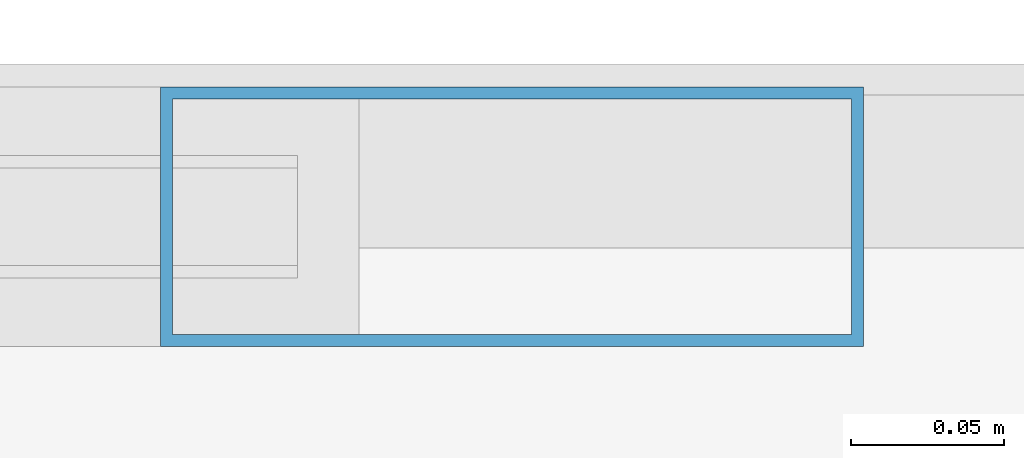
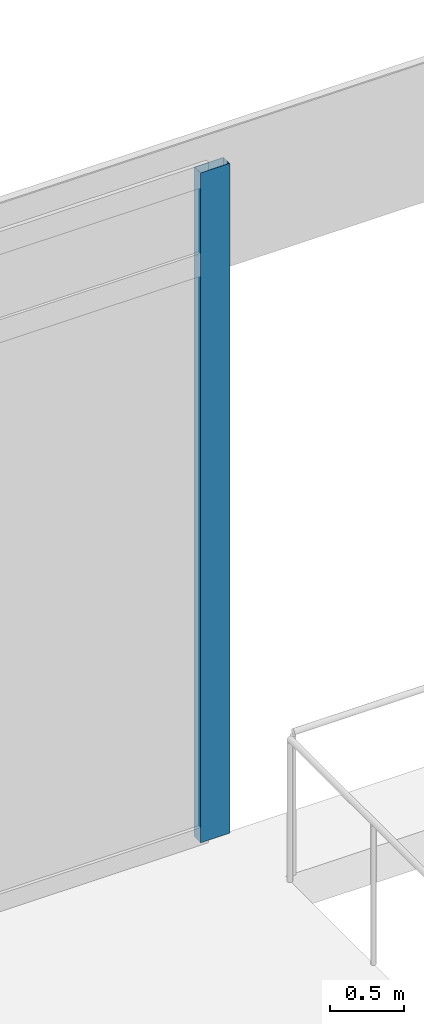
# One storey, part 15 of 26: 1 member, 1 element without a shape of its own.
"""IFC4 building model written with IfcOpenShell, lengths in metres."""

import ifcopenshell
import ifcopenshell.guid

model = None  # the IFC model being written
_history = None  # IfcOwnerHistory: only IFC2X3 demands one
_inside = {}  # id of a spatial element -> (the spatial element, [elements in it])
_under = {}  # id of a project, library or spatial element -> (it, [spatial elements below it])
_declared = {}  # id of a project -> (the project, [libraries it declares])
_typed = {}  # id of a type object -> (the type object, [elements of that type])
_made_of = {}  # id of a material, layer set ... -> (it, [elements and type objects made of it])


def new_model(schema):
    """Start an empty IFC model of exactly this schema.

    Asked for "IFC4X3", IfcOpenShell would pick the latest addendum, in which some entities
    have other attributes; the version numbers below select the first issue.
    IFC2X3 requires an IfcOwnerHistory on every rooted entity: one is made here for all.
    """
    global model, _history
    if schema == "IFC4X3":
        model = ifcopenshell.file(schema_version=(4, 3, 0, 0))
    else:
        model = ifcopenshell.file(schema=schema)
    _inside.clear()
    _under.clear()
    _declared.clear()
    _typed.clear()
    _made_of.clear()
    _history = None
    if model.schema == "IFC2X3":
        org = make("IfcOrganization", Name="unknown")
        user = make(
            "IfcPersonAndOrganization",
            ThePerson=make("IfcPerson", FamilyName="unknown"),
            TheOrganization=org,
        )
        app = make(
            "IfcApplication",
            ApplicationDeveloper=org,
            Version="unknown",
            ApplicationFullName="unknown",
            ApplicationIdentifier="unknown",
        )
        _history = make(
            "IfcOwnerHistory",
            OwningUser=user,
            OwningApplication=app,
            ChangeAction="ADDED",
            CreationDate=0,
        )
    return model


def make(cls, **values):
    """One entity of the class cls with the attributes given. An attribute that is None is left unset."""
    return model.create_entity(
        cls, **{name: value for name, value in values.items() if value is not None}
    )


def rooted(cls, **values):
    """An entity with a GlobalId (a new one), such as an element, a storey or a relation."""
    return make(cls, GlobalId=ifcopenshell.guid.new(), OwnerHistory=_history, **values)


def si_unit(unit_type, name, prefix=None):
    """IfcSIUnit, for example si_unit("LENGTHUNIT", "METRE", prefix="MILLI")."""
    return make("IfcSIUnit", UnitType=unit_type, Prefix=prefix, Name=name)


def assignment(units):
    """IfcUnitAssignment: the units of a project."""
    return None if units is None else make("IfcUnitAssignment", Units=units)


def point(xyz):
    """IfcCartesianPoint."""
    return None if xyz is None else make("IfcCartesianPoint", Coordinates=xyz)


def direction(xyz):
    """IfcDirection."""
    return None if xyz is None else make("IfcDirection", DirectionRatios=xyz)


def frame(location, z_axis=None, x_axis=None):
    """IfcAxis2Placement3D, a coordinate frame: its origin and axes. An axis left out is left unset."""
    return make(
        "IfcAxis2Placement3D",
        Location=point(location),
        Axis=direction(z_axis),
        RefDirection=direction(x_axis),
    )


def frame_2d(location, x_axis=None):
    """IfcAxis2Placement2D, a coordinate frame in the plane: its origin and x axis."""
    return make(
        "IfcAxis2Placement2D", Location=point(location), RefDirection=direction(x_axis)
    )


def origin():
    """The frame at (0, 0, 0) with its axes left unset."""
    return frame((0.0, 0.0, 0.0))


def origin_2d():
    """The frame at (0, 0) in the plane with its x axis left unset."""
    return frame_2d((0.0, 0.0))


def place(relative_to, where):
    """IfcLocalPlacement: puts the frame where relative to a parent placement (None: the world)."""
    return make(
        "IfcLocalPlacement", PlacementRelTo=relative_to, RelativePlacement=where
    )


def context(
    kind, dimensions, precision=None, world=None, true_north=None, identifier=None
):
    """IfcGeometricRepresentationContext, for example the 3D "Model" context."""
    return make(
        "IfcGeometricRepresentationContext",
        ContextIdentifier=identifier,
        ContextType=kind,
        CoordinateSpaceDimension=dimensions,
        Precision=precision,
        WorldCoordinateSystem=world,
        TrueNorth=true_north,
    )


def subcontext(parent, identifier, kind, view, scale=None):
    """IfcGeometricRepresentationSubContext, for example "Body" below "Model"."""
    return make(
        "IfcGeometricRepresentationSubContext",
        ContextIdentifier=identifier,
        ContextType=kind,
        ParentContext=parent,
        TargetScale=scale,
        TargetView=view,
    )


def project(units=None, contexts=None):
    """IfcProject with its units and contexts."""
    return rooted(
        "IfcProject",
        Name="project",
        RepresentationContexts=contexts,
        UnitsInContext=assignment(units),
    )


def spatial(cls, under=None, at=None, **own):
    """A site, building, storey or space (cls), placed at a placement, below another one or the project."""
    s = rooted(cls, ObjectPlacement=at, **own)
    if under is not None:
        _under.setdefault(under.id(), (under, []))[1].append(s)
    return s


def profile(cls, at=None, kind="AREA", **sizes):
    """A parametric profile (cls). Its sizes go by their IFC names, for example OverallWidth=200.0."""
    return make(cls, ProfileType=kind, Position=at, **sizes)


def hollow_rectangle(**sizes):
    """IfcRectangleHollowProfileDef."""
    return profile("IfcRectangleHollowProfileDef", **sizes)


def extrude(swept, where, along, depth):
    """IfcExtrudedAreaSolid: the profile swept, set in the frame where, extruded along a direction by depth."""
    return make(
        "IfcExtrudedAreaSolid",
        SweptArea=swept,
        Position=where,
        ExtrudedDirection=direction(along),
        Depth=depth,
    )


def shape(context_of_items, identifier, shape_type, items):
    """IfcShapeRepresentation: the items that make up one representation, for example the "Body"."""
    return make(
        "IfcShapeRepresentation",
        ContextOfItems=context_of_items,
        RepresentationIdentifier=identifier,
        RepresentationType=shape_type,
        Items=items,
    )


def material(Name=None, Category=None):
    """IfcMaterial."""
    return make("IfcMaterial", Name=Name, Category=Category)


def material_profile(
    of_material, cross_section, Name=None, Category=None, Priority=None
):
    """IfcMaterialProfile: a cross section and its material."""
    return make(
        "IfcMaterialProfile",
        Name=Name,
        Material=of_material,
        Profile=cross_section,
        Priority=Priority,
        Category=Category,
    )


def profile_set(profiles, Name=None, composite=None):
    """IfcMaterialProfileSet."""
    return make(
        "IfcMaterialProfileSet",
        Name=Name,
        MaterialProfiles=profiles,
        CompositeProfile=composite,
    )


def made_of(thing, what):
    """Note that an element or type object is made of a material, layer set ...; save() writes the relation."""
    if what is not None:
        _made_of.setdefault(what.id(), (what, []))[1].append(thing)
    return thing


def type_object(cls, material=None, **own):
    """A type object (cls), such as IfcWallType, which elements share."""
    return made_of(rooted(cls, **own), material)


def element(
    cls,
    number,
    at=None,
    inside=None,
    cuts=None,
    type_object=None,
    material=None,
    context=None,
    identifier="Body",
    shape_type=None,
    held_by="IfcProductDefinitionShape",
    body=None,
    shapes=None,
    **own,
):
    """One element of the class cls, such as IfcWall. Its Tag is "e" and its number.

    at: its placement. inside: the storey or other place that contains it. cuts: it is an
    opening in that element (IfcRelVoidsElement). A single representation is given by context,
    identifier, shape_type and body (its items); several are given by shapes. held_by: the class
    of the entity that holds the representations. save() writes the other relations.
    """
    e = rooted(cls, Tag="e%d" % number, ObjectPlacement=at, **own)
    if body is not None:
        shapes = [shape(context, identifier, shape_type, body)]
    if shapes is not None:
        e.Representation = make(held_by, Representations=shapes)
    if inside is not None:
        _inside.setdefault(inside.id(), (inside, []))[1].append(e)
    if cuts is not None:
        rooted(
            "IfcRelVoidsElement", RelatingBuildingElement=cuts, RelatedOpeningElement=e
        )
    if type_object is not None:
        _typed.setdefault(type_object.id(), (type_object, []))[1].append(e)
    return made_of(e, material)


def aggregate(whole, parts):
    """IfcRelAggregates: a whole, such as a stair, and the parts it consists of."""
    return rooted("IfcRelAggregates", RelatingObject=whole, RelatedObjects=parts)


def save(model, path):
    """Write the relations noted so far, then the file.

    IfcRelAggregates (storeys below a building ...), IfcRelContainedInSpatialStructure (elements
    in a storey), IfcRelDefinesByType, IfcRelAssociatesMaterial and IfcRelDeclares: one each for
    every whole, place, type object, material and project.
    """
    for whole, parts in _under.values():
        aggregate(whole, parts)
    for where, things in _inside.values():
        rooted(
            "IfcRelContainedInSpatialStructure",
            RelatedElements=things,
            RelatingStructure=where,
        )
    for kind, things in _typed.values():
        rooted("IfcRelDefinesByType", RelatedObjects=things, RelatingType=kind)
    for what, things in _made_of.values():
        rooted("IfcRelAssociatesMaterial", RelatedObjects=things, RelatingMaterial=what)
    for by, libraries in _declared.values():
        rooted("IfcRelDeclares", RelatingContext=by, RelatedDefinitions=libraries)
    model.write(path)


model = new_model("IFC4")

# Units and contexts
model_context = context("Model", 3, precision=1e-05, world=origin(), true_north=direction((0.0, 1.0)))
body_context = subcontext(model_context, "Body", "Model", "MODEL_VIEW")
ifc_project = project(units=[si_unit("LENGTHUNIT", "METRE"), si_unit("AREAUNIT", "SQUARE_METRE"), si_unit("VOLUMEUNIT", "CUBIC_METRE"), si_unit("PLANEANGLEUNIT", "RADIAN"), si_unit("MASSUNIT", "GRAM", prefix="KILO")], contexts=[model_context])

# Site, building, storey
site_placement = place(None, origin())
site = spatial("IfcSite", under=ifc_project, at=site_placement, CompositionType="ELEMENT")
building_placement = place(site_placement, origin())
building = spatial("IfcBuilding", under=site, at=building_placement, Name="Kovane Verandah Tower", CompositionType="ELEMENT")
storey_placement = place(building_placement, frame((0.0, 0.0, 301.0)))
storey = spatial("IfcBuildingStorey", under=building, at=storey_placement, Name="L70", CompositionType="ELEMENT", Elevation=301.0)

# Curtain wall, member
ifc_material_1 = material(Name="Champagne Anodised Aluminium Frame with Low-E Clear Laminated Glass", Category="aluminium")
curtain_wall_type = type_object("IfcCurtainWallType", Name="CW-SYS-05-HIGH", PredefinedType="NOTDEFINED", material=ifc_material_1)
curtain_wall_placement = place(storey_placement, origin())
curtain_wall = element("IfcCurtainWall", 1, at=curtain_wall_placement, inside=storey, type_object=curtain_wall_type, Name="L70 North-West Wind-Portal Curtain Wall 1", PredefinedType="NOTDEFINED")
ifc_material_2 = material(Name="Champagne Anodised Aluminium 6063-T6", Category="aluminium")
ifc_material_profile = material_profile(ifc_material_2, hollow_rectangle(XDim=0.0849609375, YDim=0.22998046875, WallThickness=0.00390625, at=origin_2d()), Name="AL85x230x4")
ifc_profile_set = profile_set([ifc_material_profile], Name="Champagne Anodised Aluminium 6063-T6")
member_type = type_object("IfcMemberType", Name="CW-MUL-85x230", PredefinedType="MULLION", material=ifc_profile_set)
member_placement = place(storey_placement, frame((33.300048828125, 49.10009765625, 0.02001953125), z_axis=(0.0, 0.0, 1.0), x_axis=(0.0, 1.0, 0.0)))
member = element("IfcMember", 2, at=member_placement, type_object=member_type, Name="L70 North-West Wind-Portal Curtain Wall 1 Mullion 1", PredefinedType="MULLION", context=body_context, shape_type="SweptSolid", body=[
    extrude(hollow_rectangle(XDim=0.0849609375, YDim=0.22998046875, WallThickness=0.00390625, at=origin_2d()), origin(), (0.0, 0.0, 1.0), 5.544921875),
])
aggregate(curtain_wall, [member])

save(model, "model.ifc")
